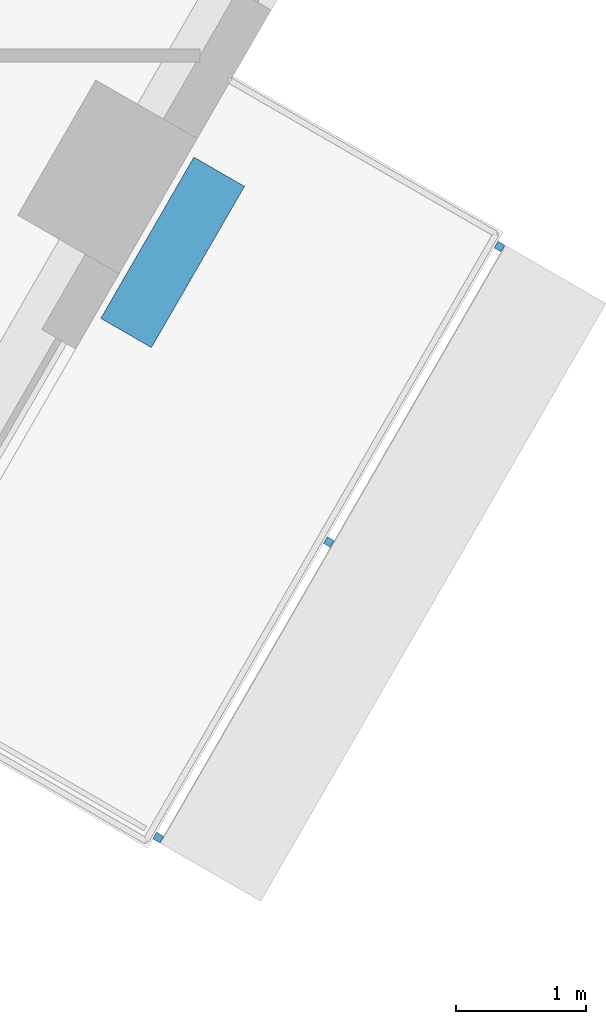
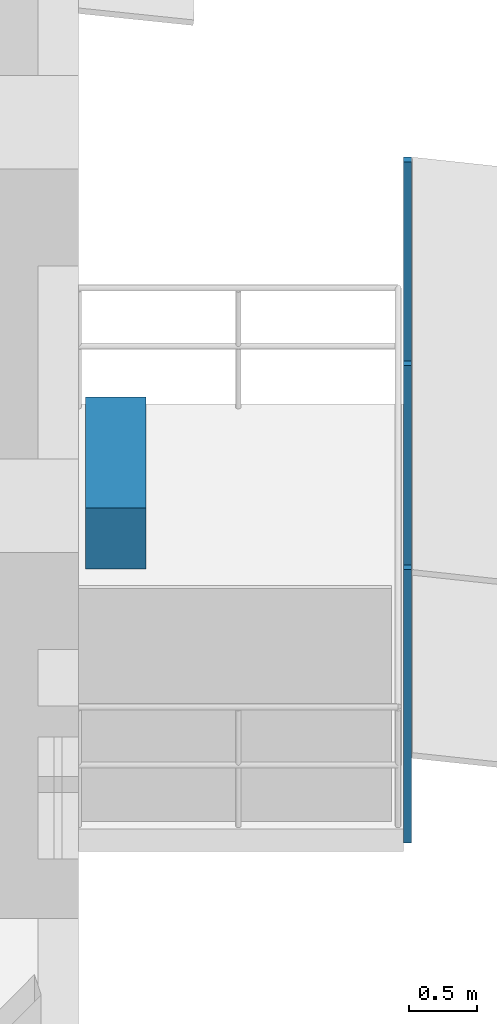
# One storey, part 12 of 18: 4 discrete accessories.
"""IFC4 building model written with IfcOpenShell, lengths in metres."""

from ifc_helpers import new_model, si_unit, direction, frame, origin, origin_2d, place, context, subcontext, project, spatial, rectangle, extrude, material, type_object, element, save


model = new_model("IFC4")

# Units and contexts
model_context = context("Model", 3, precision=1e-05, world=origin(), true_north=direction((0.0, 1.0)))
body_context = subcontext(model_context, "Body", "Model", "MODEL_VIEW")
ifc_project = project(units=[si_unit("LENGTHUNIT", "METRE"), si_unit("AREAUNIT", "SQUARE_METRE"), si_unit("VOLUMEUNIT", "CUBIC_METRE"), si_unit("PLANEANGLEUNIT", "RADIAN"), si_unit("MASSUNIT", "GRAM", prefix="KILO")], contexts=[model_context])

# Site, building, storey
site_placement = place(None, origin())
site = spatial("IfcSite", under=ifc_project, at=site_placement, CompositionType="ELEMENT")
building_placement = place(site_placement, origin())
building = spatial("IfcBuilding", under=site, at=building_placement, Name="Nakaniwa Court", CompositionType="ELEMENT")
storey_placement = place(building_placement, frame((0.0, 0.0, 176.699951171875)))
storey = spatial("IfcBuildingStorey", under=building, at=storey_placement, Name="L45", CompositionType="ELEMENT", Elevation=176.699951171875)

# Discrete accessories
ifc_material_1 = material(Name="Black powder-coated steel bracket S275", Category="steel")
discrete_accessory_type_1 = type_object("IfcDiscreteAccessoryType", Name="Black metal louvre bracket", PredefinedType="BRACKET", material=ifc_material_1)
for number, where, z_axis, x_axis, name in (
    (1, (99.5302734375, 63.66748046875, -0.229736328125), (0.0, 0.0, 1.0), (0.500016626402, 0.866015804314, 0.0), "L45 louvre bracket 02 1"),
    (2, (100.843017578125, 65.941162109375, -0.229736328125), (0.0, 0.0, 1.0), (0.500016626402, 0.866015804314, 0.0), "L45 louvre bracket 02 2"),
    (3, (102.15576171875, 68.214599609375, -0.229736328125), (0.0, 0.0, 1.0), (0.500016626402, 0.866015804314, 0.0), "L45 louvre bracket 02 3"),
):
    element("IfcDiscreteAccessory", number, at=place(storey_placement, frame(where, z_axis=z_axis, x_axis=x_axis)), inside=storey, type_object=discrete_accessory_type_1, Name=name, PredefinedType="BRACKET", context=body_context, shape_type="SweptSolid", body=[
        extrude(rectangle(XDim=0.06005859375, YDim=0.06005859375, at=origin_2d()), origin(), (0.0, 0.0, 1.0), 2.46337890625),
    ])
ifc_material_2 = material(Name="Precast concrete C40/50 planter with planted soil", Category="concrete")
discrete_accessory_type_2 = type_object("IfcDiscreteAccessoryType", Name="Planter box charcoal concrete", PredefinedType="USERDEFINED", material=ifc_material_2)
discrete_accessory_placement = place(storey_placement, frame((99.641357421875, 68.169677734375, -0.0498046875), z_axis=(0.0, 0.0, 1.0), x_axis=(0.500016626402, 0.866015804314, 0.0)))
element("IfcDiscreteAccessory", 4, at=discrete_accessory_placement, inside=storey, type_object=discrete_accessory_type_2, Name="L45 balcony PLANTER 02", ObjectType="PLANTER", PredefinedType="USERDEFINED", context=body_context, shape_type="SweptSolid", body=[
    extrude(rectangle(XDim=1.432373046875, YDim=0.449951171875, at=origin_2d()), origin(), (0.0, 0.0, 1.0), 0.550048828125),
])

save(model, "model.ifc")
